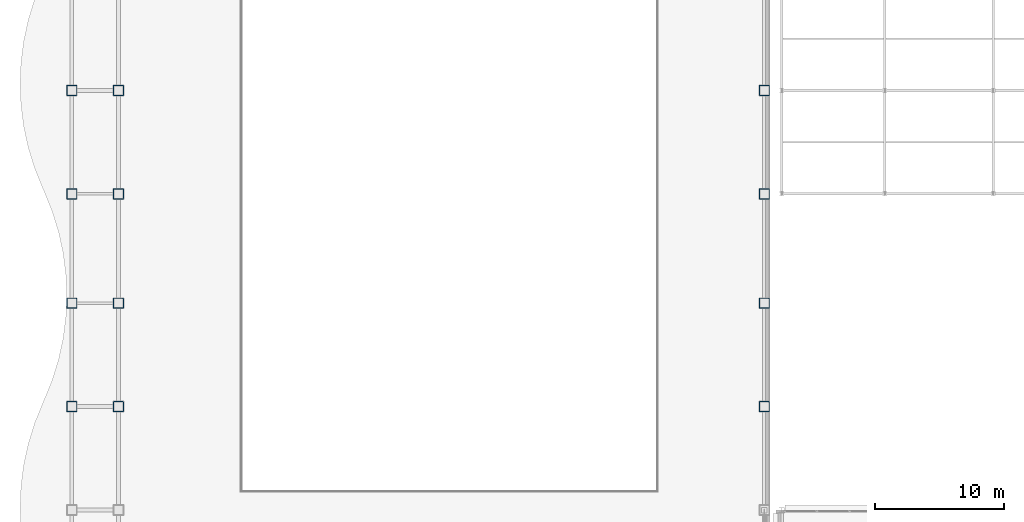
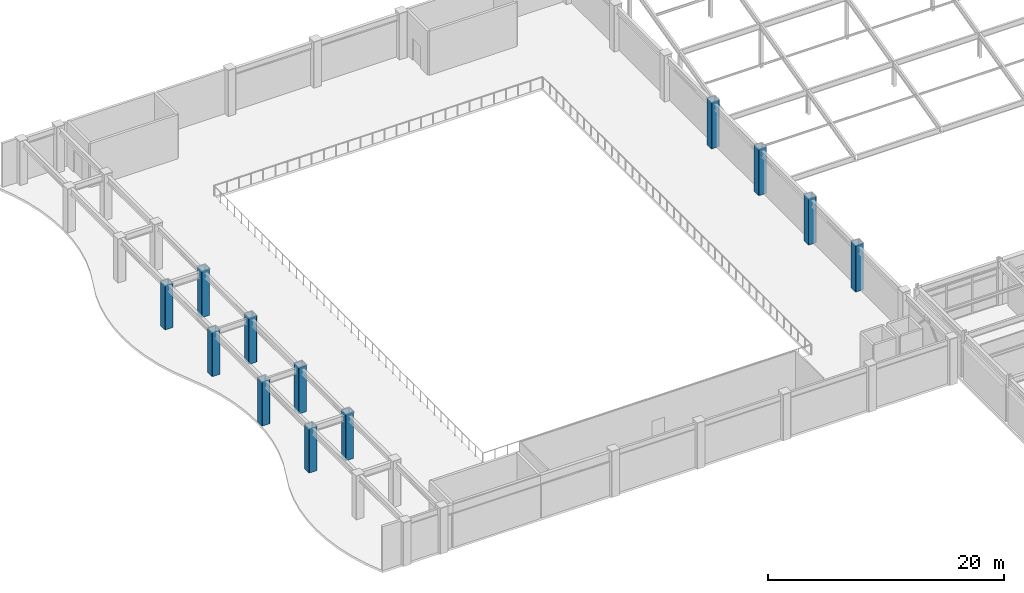
# One storey, part 8 of 93: 12 columns.
"""IFC4 building model written with IfcOpenShell, lengths in metres."""

from ifc_helpers import new_model, si_unit, direction, frame, origin, origin_2d, place, context, subcontext, project, spatial, hollow_rectangle, extrude, material, material_profile, profile_set, type_object, element, save


model = new_model("IFC4")

# Units and contexts
model_context = context("Model", 3, precision=1e-05, world=origin(), true_north=direction((0.0, 1.0)))
body_context = subcontext(model_context, "Body", "Model", "MODEL_VIEW")
ifc_project = project(units=[si_unit("LENGTHUNIT", "METRE"), si_unit("AREAUNIT", "SQUARE_METRE"), si_unit("VOLUMEUNIT", "CUBIC_METRE"), si_unit("PLANEANGLEUNIT", "RADIAN"), si_unit("MASSUNIT", "GRAM", prefix="KILO")], contexts=[model_context])

# Site, building, storey
site_placement = place(None, origin())
site = spatial("IfcSite", under=ifc_project, at=site_placement, CompositionType="ELEMENT")
building_placement = place(site_placement, origin())
building = spatial("IfcBuilding", under=site, at=building_placement, Name="Kazehara Bluff Congress Hotel", CompositionType="ELEMENT")
storey_placement = place(building_placement, frame((0.0, 0.0, 15.0)))
storey = spatial("IfcBuildingStorey", under=building, at=storey_placement, Name="L03", CompositionType="ELEMENT", Elevation=15.0)

# Columns
ifc_material = material(Name="Steel BCR295", Category="steel")
ifc_material_profile = material_profile(ifc_material, hollow_rectangle(XDim=0.800048828125, YDim=0.800048828125, WallThickness=0.031982421875, InnerFilletRadius=0.031982421875, OuterFilletRadius=0.06396484375, at=origin_2d()))
ifc_profile_set = profile_set([ifc_material_profile], Name="Steel BCR295")
column_type = type_object("IfcColumnType", Name="TP-C-02", PredefinedType="COLUMN", material=ifc_profile_set)
for number, where, z_axis, x_axis, name in (
    (1, (4.800048828125, 64.449951171875, 0.0), (0.0, 0.0, 1.0), (1.0, 0.0, 0.0), "L03 column C-02 (4.80,64.45)"),
    (2, (4.800048828125, 72.449951171875, 0.0), (0.0, 0.0, 1.0), (1.0, 0.0, 0.0), "L03 column C-02 (4.80,72.45)"),
    (3, (4.800048828125, 80.89990234375, 0.0), (0.0, 0.0, 1.0), (1.0, 0.0, 0.0), "L03 column C-02 (4.80,80.90)"),
    (4, (4.800048828125, 88.89990234375, 0.0), (0.0, 0.0, 1.0), (1.0, 0.0, 0.0), "L03 column C-02 (4.80,88.90)"),
):
    element("IfcColumn", number, at=place(storey_placement, frame(where, z_axis=z_axis, x_axis=x_axis)), inside=storey, type_object=column_type, Name=name, PredefinedType="COLUMN", context=body_context, shape_type="SweptSolid", body=[
        extrude(hollow_rectangle(XDim=0.800048828125, YDim=0.800048828125, WallThickness=0.031982421875, InnerFilletRadius=0.031982421875, OuterFilletRadius=0.06396484375, at=origin_2d()), origin(), (0.0, 0.0, 1.0), 4.56005859375),
    ])
for number, where, z_axis, x_axis, name in (
    (5, (8.39990234375, 64.449951171875, 0.0), (0.0, 0.0, 1.0), (1.0, 0.0, 0.0), "L03 column C-02 (8.40,64.45)"),
    (6, (8.39990234375, 72.449951171875, 0.0), (0.0, 0.0, 1.0), (1.0, 0.0, 0.0), "L03 column C-02 (8.40,72.45)"),
    (7, (8.39990234375, 80.89990234375, 0.0), (0.0, 0.0, 1.0), (1.0, 0.0, 0.0), "L03 column C-02 (8.40,80.90)"),
    (8, (8.39990234375, 88.89990234375, 0.0), (0.0, 0.0, 1.0), (1.0, 0.0, 0.0), "L03 column C-02 (8.40,88.90)"),
    (9, (58.35009765625, 64.449951171875, 0.0), (0.0, 0.0, 1.0), (1.0, 0.0, 0.0), "L03 column C-02 (58.35,64.45)"),
    (10, (58.35009765625, 72.449951171875, 0.0), (0.0, 0.0, 1.0), (1.0, 0.0, 0.0), "L03 column C-02 (58.35,72.45)"),
    (11, (58.35009765625, 80.89990234375, 0.0), (0.0, 0.0, 1.0), (1.0, 0.0, 0.0), "L03 column C-02 (58.35,80.90)"),
    (12, (58.35009765625, 88.89990234375, 0.0), (0.0, 0.0, 1.0), (1.0, 0.0, 0.0), "L03 column C-02 (58.35,88.90)"),
):
    element("IfcColumn", number, at=place(storey_placement, frame(where, z_axis=z_axis, x_axis=x_axis)), inside=storey, type_object=column_type, Name=name, PredefinedType="COLUMN", context=body_context, shape_type="SweptSolid", body=[
        extrude(hollow_rectangle(XDim=0.800048828125, YDim=0.800048828125, WallThickness=0.031982421875, InnerFilletRadius=0.031982421875, OuterFilletRadius=0.06396484375, at=origin_2d()), origin(), (0.0, 0.0, 1.0), 4.800048828125),
    ])

save(model, "model.ifc")
